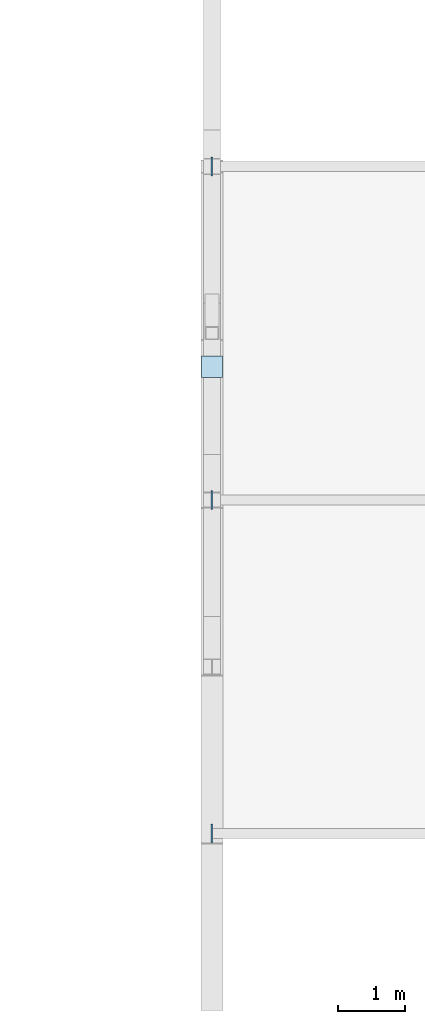
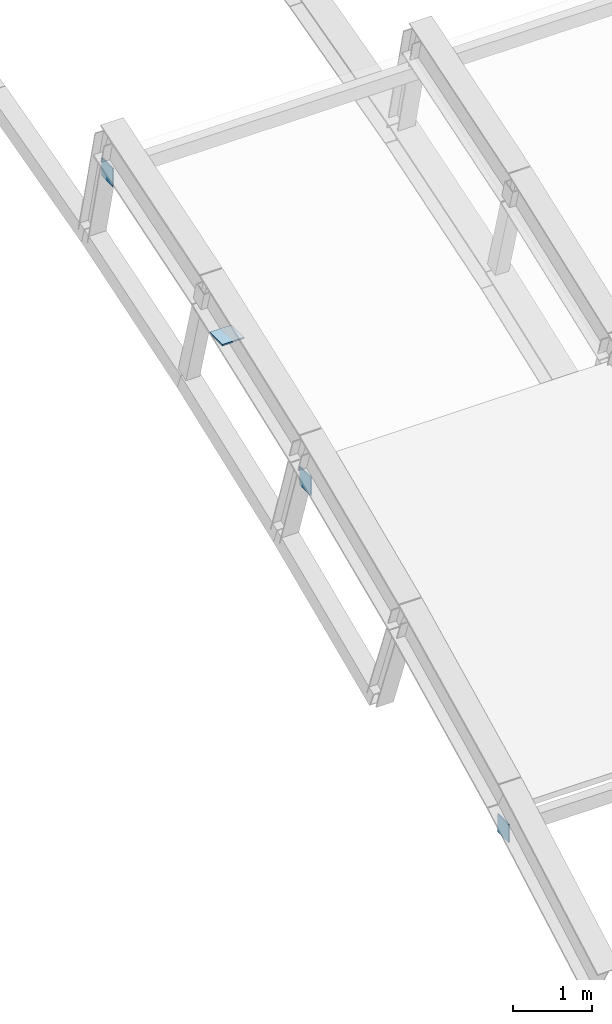
# One storey, part 80 of 103: 4 plates.
"""IFC4 building model written with IfcOpenShell, lengths in metres."""

import ifcopenshell
import ifcopenshell.guid

model = None  # the IFC model being written
_history = None  # IfcOwnerHistory: only IFC2X3 demands one
_inside = {}  # id of a spatial element -> (the spatial element, [elements in it])
_under = {}  # id of a project, library or spatial element -> (it, [spatial elements below it])
_declared = {}  # id of a project -> (the project, [libraries it declares])
_typed = {}  # id of a type object -> (the type object, [elements of that type])
_made_of = {}  # id of a material, layer set ... -> (it, [elements and type objects made of it])


def new_model(schema):
    """Start an empty IFC model of exactly this schema.

    Asked for "IFC4X3", IfcOpenShell would pick the latest addendum, in which some entities
    have other attributes; the version numbers below select the first issue.
    IFC2X3 requires an IfcOwnerHistory on every rooted entity: one is made here for all.
    """
    global model, _history
    if schema == "IFC4X3":
        model = ifcopenshell.file(schema_version=(4, 3, 0, 0))
    else:
        model = ifcopenshell.file(schema=schema)
    _inside.clear()
    _under.clear()
    _declared.clear()
    _typed.clear()
    _made_of.clear()
    _history = None
    if model.schema == "IFC2X3":
        org = make("IfcOrganization", Name="unknown")
        user = make(
            "IfcPersonAndOrganization",
            ThePerson=make("IfcPerson", FamilyName="unknown"),
            TheOrganization=org,
        )
        app = make(
            "IfcApplication",
            ApplicationDeveloper=org,
            Version="unknown",
            ApplicationFullName="unknown",
            ApplicationIdentifier="unknown",
        )
        _history = make(
            "IfcOwnerHistory",
            OwningUser=user,
            OwningApplication=app,
            ChangeAction="ADDED",
            CreationDate=0,
        )
    return model


def make(cls, **values):
    """One entity of the class cls with the attributes given. An attribute that is None is left unset."""
    return model.create_entity(
        cls, **{name: value for name, value in values.items() if value is not None}
    )


def rooted(cls, **values):
    """An entity with a GlobalId (a new one), such as an element, a storey or a relation."""
    return make(cls, GlobalId=ifcopenshell.guid.new(), OwnerHistory=_history, **values)


def si_unit(unit_type, name, prefix=None):
    """IfcSIUnit, for example si_unit("LENGTHUNIT", "METRE", prefix="MILLI")."""
    return make("IfcSIUnit", UnitType=unit_type, Prefix=prefix, Name=name)


def assignment(units):
    """IfcUnitAssignment: the units of a project."""
    return None if units is None else make("IfcUnitAssignment", Units=units)


def point(xyz):
    """IfcCartesianPoint."""
    return None if xyz is None else make("IfcCartesianPoint", Coordinates=xyz)


def direction(xyz):
    """IfcDirection."""
    return None if xyz is None else make("IfcDirection", DirectionRatios=xyz)


def frame(location, z_axis=None, x_axis=None):
    """IfcAxis2Placement3D, a coordinate frame: its origin and axes. An axis left out is left unset."""
    return make(
        "IfcAxis2Placement3D",
        Location=point(location),
        Axis=direction(z_axis),
        RefDirection=direction(x_axis),
    )


def frame_2d(location, x_axis=None):
    """IfcAxis2Placement2D, a coordinate frame in the plane: its origin and x axis."""
    return make(
        "IfcAxis2Placement2D", Location=point(location), RefDirection=direction(x_axis)
    )


def origin():
    """The frame at (0, 0, 0) with its axes left unset."""
    return frame((0.0, 0.0, 0.0))


def origin_2d():
    """The frame at (0, 0) in the plane with its x axis left unset."""
    return frame_2d((0.0, 0.0))


def place(relative_to, where):
    """IfcLocalPlacement: puts the frame where relative to a parent placement (None: the world)."""
    return make(
        "IfcLocalPlacement", PlacementRelTo=relative_to, RelativePlacement=where
    )


def context(
    kind, dimensions, precision=None, world=None, true_north=None, identifier=None
):
    """IfcGeometricRepresentationContext, for example the 3D "Model" context."""
    return make(
        "IfcGeometricRepresentationContext",
        ContextIdentifier=identifier,
        ContextType=kind,
        CoordinateSpaceDimension=dimensions,
        Precision=precision,
        WorldCoordinateSystem=world,
        TrueNorth=true_north,
    )


def subcontext(parent, identifier, kind, view, scale=None):
    """IfcGeometricRepresentationSubContext, for example "Body" below "Model"."""
    return make(
        "IfcGeometricRepresentationSubContext",
        ContextIdentifier=identifier,
        ContextType=kind,
        ParentContext=parent,
        TargetScale=scale,
        TargetView=view,
    )


def project(units=None, contexts=None):
    """IfcProject with its units and contexts."""
    return rooted(
        "IfcProject",
        Name="project",
        RepresentationContexts=contexts,
        UnitsInContext=assignment(units),
    )


def spatial(cls, under=None, at=None, **own):
    """A site, building, storey or space (cls), placed at a placement, below another one or the project."""
    s = rooted(cls, ObjectPlacement=at, **own)
    if under is not None:
        _under.setdefault(under.id(), (under, []))[1].append(s)
    return s


def profile(cls, at=None, kind="AREA", **sizes):
    """A parametric profile (cls). Its sizes go by their IFC names, for example OverallWidth=200.0."""
    return make(cls, ProfileType=kind, Position=at, **sizes)


def rectangle(**sizes):
    """IfcRectangleProfileDef."""
    return profile("IfcRectangleProfileDef", **sizes)


def extrude(swept, where, along, depth):
    """IfcExtrudedAreaSolid: the profile swept, set in the frame where, extruded along a direction by depth."""
    return make(
        "IfcExtrudedAreaSolid",
        SweptArea=swept,
        Position=where,
        ExtrudedDirection=direction(along),
        Depth=depth,
    )


def shape(context_of_items, identifier, shape_type, items):
    """IfcShapeRepresentation: the items that make up one representation, for example the "Body"."""
    return make(
        "IfcShapeRepresentation",
        ContextOfItems=context_of_items,
        RepresentationIdentifier=identifier,
        RepresentationType=shape_type,
        Items=items,
    )


def material(Name=None, Category=None):
    """IfcMaterial."""
    return make("IfcMaterial", Name=Name, Category=Category)


def layer(
    of_material, thickness, ventilated=None, Name=None, Category=None, Priority=None
):
    """IfcMaterialLayer: one layer of a wall or slab, of a material (None: an air gap)."""
    return make(
        "IfcMaterialLayer",
        Material=of_material,
        LayerThickness=thickness,
        IsVentilated=ventilated,
        Name=Name,
        Category=Category,
        Priority=Priority,
    )


def layer_set(layers, Name=None):
    """IfcMaterialLayerSet."""
    return make("IfcMaterialLayerSet", MaterialLayers=layers, LayerSetName=Name)


def made_of(thing, what):
    """Note that an element or type object is made of a material, layer set ...; save() writes the relation."""
    if what is not None:
        _made_of.setdefault(what.id(), (what, []))[1].append(thing)
    return thing


def type_object(cls, material=None, **own):
    """A type object (cls), such as IfcWallType, which elements share."""
    return made_of(rooted(cls, **own), material)


def element(
    cls,
    number,
    at=None,
    inside=None,
    cuts=None,
    type_object=None,
    material=None,
    context=None,
    identifier="Body",
    shape_type=None,
    held_by="IfcProductDefinitionShape",
    body=None,
    shapes=None,
    **own,
):
    """One element of the class cls, such as IfcWall. Its Tag is "e" and its number.

    at: its placement. inside: the storey or other place that contains it. cuts: it is an
    opening in that element (IfcRelVoidsElement). A single representation is given by context,
    identifier, shape_type and body (its items); several are given by shapes. held_by: the class
    of the entity that holds the representations. save() writes the other relations.
    """
    e = rooted(cls, Tag="e%d" % number, ObjectPlacement=at, **own)
    if body is not None:
        shapes = [shape(context, identifier, shape_type, body)]
    if shapes is not None:
        e.Representation = make(held_by, Representations=shapes)
    if inside is not None:
        _inside.setdefault(inside.id(), (inside, []))[1].append(e)
    if cuts is not None:
        rooted(
            "IfcRelVoidsElement", RelatingBuildingElement=cuts, RelatedOpeningElement=e
        )
    if type_object is not None:
        _typed.setdefault(type_object.id(), (type_object, []))[1].append(e)
    return made_of(e, material)


def aggregate(whole, parts):
    """IfcRelAggregates: a whole, such as a stair, and the parts it consists of."""
    return rooted("IfcRelAggregates", RelatingObject=whole, RelatedObjects=parts)


def save(model, path):
    """Write the relations noted so far, then the file.

    IfcRelAggregates (storeys below a building ...), IfcRelContainedInSpatialStructure (elements
    in a storey), IfcRelDefinesByType, IfcRelAssociatesMaterial and IfcRelDeclares: one each for
    every whole, place, type object, material and project.
    """
    for whole, parts in _under.values():
        aggregate(whole, parts)
    for where, things in _inside.values():
        rooted(
            "IfcRelContainedInSpatialStructure",
            RelatedElements=things,
            RelatingStructure=where,
        )
    for kind, things in _typed.values():
        rooted("IfcRelDefinesByType", RelatedObjects=things, RelatingType=kind)
    for what, things in _made_of.values():
        rooted("IfcRelAssociatesMaterial", RelatedObjects=things, RelatingMaterial=what)
    for by, libraries in _declared.values():
        rooted("IfcRelDeclares", RelatingContext=by, RelatedDefinitions=libraries)
    model.write(path)


model = new_model("IFC4")

# Units and contexts
model_context = context("Model", 3, precision=1e-05, world=origin(), true_north=direction((0.0, 1.0)))
body_context = subcontext(model_context, "Body", "Model", "MODEL_VIEW")
ifc_project = project(units=[si_unit("LENGTHUNIT", "METRE"), si_unit("AREAUNIT", "SQUARE_METRE"), si_unit("VOLUMEUNIT", "CUBIC_METRE"), si_unit("PLANEANGLEUNIT", "RADIAN"), si_unit("MASSUNIT", "GRAM", prefix="KILO")], contexts=[model_context])

# Site, building, storey
site_placement = place(None, origin())
site = spatial("IfcSite", under=ifc_project, at=site_placement, CompositionType="ELEMENT")
building_placement = place(site_placement, origin())
building = spatial("IfcBuilding", under=site, at=building_placement, Name="Cazmaro Siding Exhibition Halls", CompositionType="ELEMENT")
storey_placement = place(building_placement, frame((0.0, 0.0, 16.5)))
storey = spatial("IfcBuildingStorey", under=building, at=storey_placement, Name="L03", CompositionType="ELEMENT", Elevation=16.5)

# Plates
ifc_material_1 = material(Name="Steel ASTM A572 Grade 50", Category="steel")
ifc_layer_1 = layer(ifc_material_1, 0.02001953125)
ifc_layer_set_1 = layer_set([ifc_layer_1], Name="Steel ASTM A572 Grade 50")
plate_type_1 = type_object("IfcPlateType", Name="CP-02", PredefinedType="SHEET", material=ifc_layer_set_1)
plate_placement = place(storey_placement, frame((45.0, 76.0, 3.60205078125), z_axis=(0.0, 0.0, 1.0), x_axis=(1.0, 0.0, 0.0)))
element("IfcPlate", 1, at=plate_placement, inside=storey, type_object=plate_type_1, Name="HSS column top end-cap plate CP-02", PredefinedType="SHEET", context=body_context, shape_type="SweptSolid", body=[
    extrude(rectangle(XDim=0.320068359375, YDim=0.320068359375, at=origin_2d()), origin(), (0.0, 0.0, 1.0), 0.02001953125),
])
ifc_material_2 = material(Name="Steel ASTM A572 Grade 50", Category="steel")
ifc_layer_2 = layer(ifc_material_2, 0.02001953125)
ifc_layer_set_2 = layer_set([ifc_layer_2], Name="Steel ASTM A572 Grade 50")
plate_type_2 = type_object("IfcPlateType", Name="CP-12", PredefinedType="SHEET", material=ifc_layer_set_2)
for number, where, z_axis, x_axis, name in (
    (2, (44.985107421875, 69.0, 0.260986328125), (1.0, 0.0, 0.0), (0.0, 1.0, 0.0), "HSS purlin end-cap plate CP-12"),
    (3, (44.985107421875, 74.0, 2.58203125), (1.0, 0.0, 0.0), (0.0, 1.0, 0.0), "HSS purlin end-cap plate CP-12"),
    (4, (44.985107421875, 79.0, 4.31494140625), (1.0, 0.0, 0.0), (0.0, 1.0, 0.0), "HSS purlin end-cap plate CP-12"),
):
    element("IfcPlate", number, at=place(storey_placement, frame(where, z_axis=z_axis, x_axis=x_axis)), inside=storey, type_object=plate_type_2, Name=name, PredefinedType="SHEET", context=body_context, shape_type="SweptSolid", body=[
        extrude(rectangle(XDim=0.280029296875, YDim=0.280029296875, at=origin_2d()), origin(), (0.0, 0.0, 1.0), 0.02001953125),
    ])

save(model, "model.ifc")
